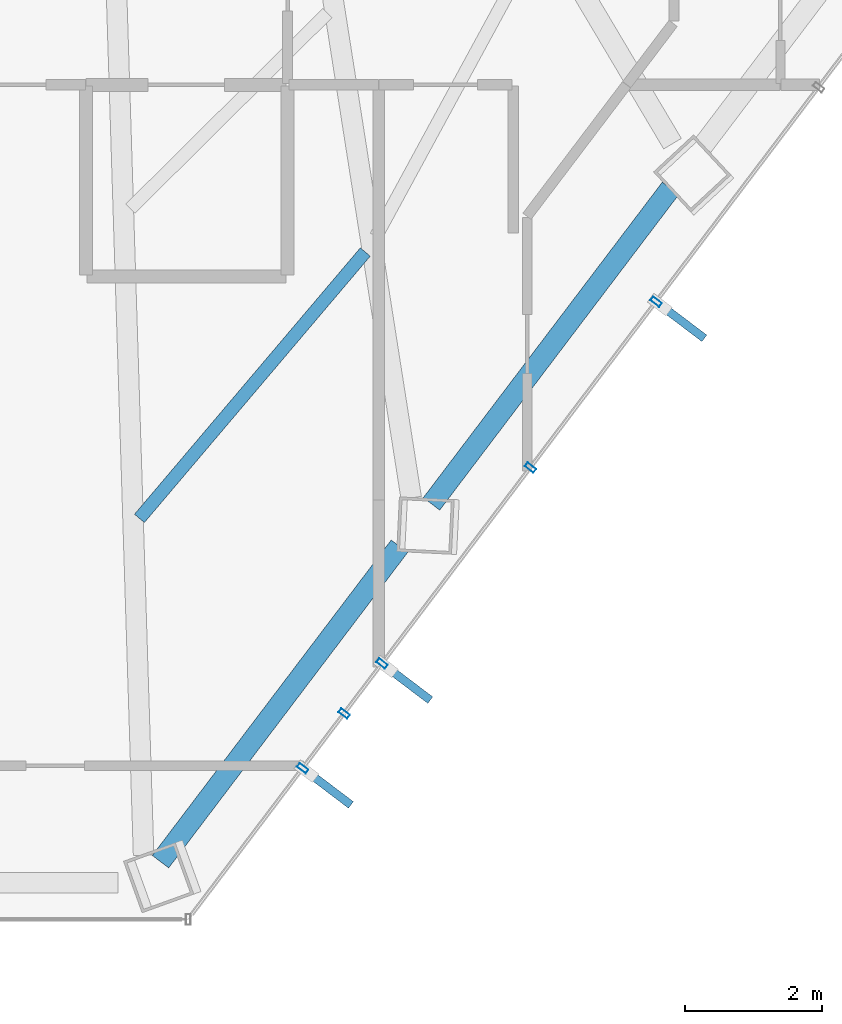
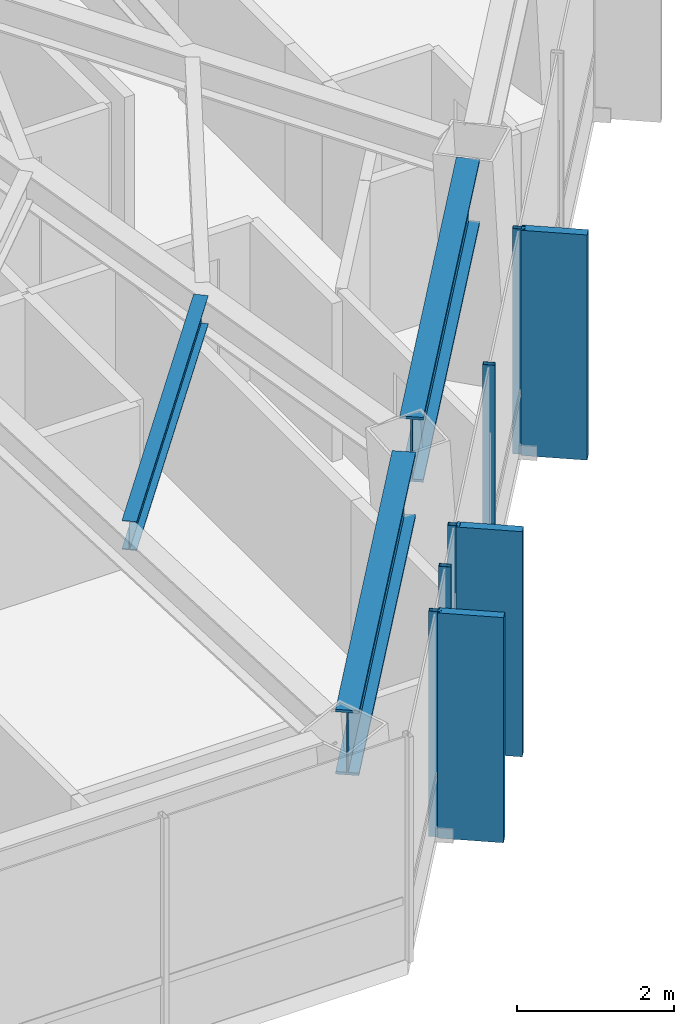
# One storey, part 17 of 29: 8 members, 3 beams, 1 element without a shape of its own.
"""IFC4 building model written with IfcOpenShell, lengths in metres."""

import ifcopenshell
import ifcopenshell.guid

model = None  # the IFC model being written
_history = None  # IfcOwnerHistory: only IFC2X3 demands one
_inside = {}  # id of a spatial element -> (the spatial element, [elements in it])
_under = {}  # id of a project, library or spatial element -> (it, [spatial elements below it])
_declared = {}  # id of a project -> (the project, [libraries it declares])
_typed = {}  # id of a type object -> (the type object, [elements of that type])
_made_of = {}  # id of a material, layer set ... -> (it, [elements and type objects made of it])


def new_model(schema):
    """Start an empty IFC model of exactly this schema.

    Asked for "IFC4X3", IfcOpenShell would pick the latest addendum, in which some entities
    have other attributes; the version numbers below select the first issue.
    IFC2X3 requires an IfcOwnerHistory on every rooted entity: one is made here for all.
    """
    global model, _history
    if schema == "IFC4X3":
        model = ifcopenshell.file(schema_version=(4, 3, 0, 0))
    else:
        model = ifcopenshell.file(schema=schema)
    _inside.clear()
    _under.clear()
    _declared.clear()
    _typed.clear()
    _made_of.clear()
    _history = None
    if model.schema == "IFC2X3":
        org = make("IfcOrganization", Name="unknown")
        user = make(
            "IfcPersonAndOrganization",
            ThePerson=make("IfcPerson", FamilyName="unknown"),
            TheOrganization=org,
        )
        app = make(
            "IfcApplication",
            ApplicationDeveloper=org,
            Version="unknown",
            ApplicationFullName="unknown",
            ApplicationIdentifier="unknown",
        )
        _history = make(
            "IfcOwnerHistory",
            OwningUser=user,
            OwningApplication=app,
            ChangeAction="ADDED",
            CreationDate=0,
        )
    return model


def make(cls, **values):
    """One entity of the class cls with the attributes given. An attribute that is None is left unset."""
    return model.create_entity(
        cls, **{name: value for name, value in values.items() if value is not None}
    )


def rooted(cls, **values):
    """An entity with a GlobalId (a new one), such as an element, a storey or a relation."""
    return make(cls, GlobalId=ifcopenshell.guid.new(), OwnerHistory=_history, **values)


def si_unit(unit_type, name, prefix=None):
    """IfcSIUnit, for example si_unit("LENGTHUNIT", "METRE", prefix="MILLI")."""
    return make("IfcSIUnit", UnitType=unit_type, Prefix=prefix, Name=name)


def assignment(units):
    """IfcUnitAssignment: the units of a project."""
    return None if units is None else make("IfcUnitAssignment", Units=units)


def point(xyz):
    """IfcCartesianPoint."""
    return None if xyz is None else make("IfcCartesianPoint", Coordinates=xyz)


def direction(xyz):
    """IfcDirection."""
    return None if xyz is None else make("IfcDirection", DirectionRatios=xyz)


def frame(location, z_axis=None, x_axis=None):
    """IfcAxis2Placement3D, a coordinate frame: its origin and axes. An axis left out is left unset."""
    return make(
        "IfcAxis2Placement3D",
        Location=point(location),
        Axis=direction(z_axis),
        RefDirection=direction(x_axis),
    )


def frame_2d(location, x_axis=None):
    """IfcAxis2Placement2D, a coordinate frame in the plane: its origin and x axis."""
    return make(
        "IfcAxis2Placement2D", Location=point(location), RefDirection=direction(x_axis)
    )


def origin():
    """The frame at (0, 0, 0) with its axes left unset."""
    return frame((0.0, 0.0, 0.0))


def origin_2d():
    """The frame at (0, 0) in the plane with its x axis left unset."""
    return frame_2d((0.0, 0.0))


def place(relative_to, where):
    """IfcLocalPlacement: puts the frame where relative to a parent placement (None: the world)."""
    return make(
        "IfcLocalPlacement", PlacementRelTo=relative_to, RelativePlacement=where
    )


def context(
    kind, dimensions, precision=None, world=None, true_north=None, identifier=None
):
    """IfcGeometricRepresentationContext, for example the 3D "Model" context."""
    return make(
        "IfcGeometricRepresentationContext",
        ContextIdentifier=identifier,
        ContextType=kind,
        CoordinateSpaceDimension=dimensions,
        Precision=precision,
        WorldCoordinateSystem=world,
        TrueNorth=true_north,
    )


def subcontext(parent, identifier, kind, view, scale=None):
    """IfcGeometricRepresentationSubContext, for example "Body" below "Model"."""
    return make(
        "IfcGeometricRepresentationSubContext",
        ContextIdentifier=identifier,
        ContextType=kind,
        ParentContext=parent,
        TargetScale=scale,
        TargetView=view,
    )


def project(units=None, contexts=None):
    """IfcProject with its units and contexts."""
    return rooted(
        "IfcProject",
        Name="project",
        RepresentationContexts=contexts,
        UnitsInContext=assignment(units),
    )


def spatial(cls, under=None, at=None, **own):
    """A site, building, storey or space (cls), placed at a placement, below another one or the project."""
    s = rooted(cls, ObjectPlacement=at, **own)
    if under is not None:
        _under.setdefault(under.id(), (under, []))[1].append(s)
    return s


def profile(cls, at=None, kind="AREA", **sizes):
    """A parametric profile (cls). Its sizes go by their IFC names, for example OverallWidth=200.0."""
    return make(cls, ProfileType=kind, Position=at, **sizes)


def rectangle(**sizes):
    """IfcRectangleProfileDef."""
    return profile("IfcRectangleProfileDef", **sizes)


def hollow_rectangle(**sizes):
    """IfcRectangleHollowProfileDef."""
    return profile("IfcRectangleHollowProfileDef", **sizes)


def i_section(**sizes):
    """IfcIShapeProfileDef."""
    return profile("IfcIShapeProfileDef", **sizes)


def extrude(swept, where, along, depth):
    """IfcExtrudedAreaSolid: the profile swept, set in the frame where, extruded along a direction by depth."""
    return make(
        "IfcExtrudedAreaSolid",
        SweptArea=swept,
        Position=where,
        ExtrudedDirection=direction(along),
        Depth=depth,
    )


def shape(context_of_items, identifier, shape_type, items):
    """IfcShapeRepresentation: the items that make up one representation, for example the "Body"."""
    return make(
        "IfcShapeRepresentation",
        ContextOfItems=context_of_items,
        RepresentationIdentifier=identifier,
        RepresentationType=shape_type,
        Items=items,
    )


def material(Name=None, Category=None):
    """IfcMaterial."""
    return make("IfcMaterial", Name=Name, Category=Category)


def layer(
    of_material, thickness, ventilated=None, Name=None, Category=None, Priority=None
):
    """IfcMaterialLayer: one layer of a wall or slab, of a material (None: an air gap)."""
    return make(
        "IfcMaterialLayer",
        Material=of_material,
        LayerThickness=thickness,
        IsVentilated=ventilated,
        Name=Name,
        Category=Category,
        Priority=Priority,
    )


def layer_set(layers, Name=None):
    """IfcMaterialLayerSet."""
    return make("IfcMaterialLayerSet", MaterialLayers=layers, LayerSetName=Name)


def material_profile(
    of_material, cross_section, Name=None, Category=None, Priority=None
):
    """IfcMaterialProfile: a cross section and its material."""
    return make(
        "IfcMaterialProfile",
        Name=Name,
        Material=of_material,
        Profile=cross_section,
        Priority=Priority,
        Category=Category,
    )


def profile_set(profiles, Name=None, composite=None):
    """IfcMaterialProfileSet."""
    return make(
        "IfcMaterialProfileSet",
        Name=Name,
        MaterialProfiles=profiles,
        CompositeProfile=composite,
    )


def made_of(thing, what):
    """Note that an element or type object is made of a material, layer set ...; save() writes the relation."""
    if what is not None:
        _made_of.setdefault(what.id(), (what, []))[1].append(thing)
    return thing


def type_object(cls, material=None, **own):
    """A type object (cls), such as IfcWallType, which elements share."""
    return made_of(rooted(cls, **own), material)


def element(
    cls,
    number,
    at=None,
    inside=None,
    cuts=None,
    type_object=None,
    material=None,
    context=None,
    identifier="Body",
    shape_type=None,
    held_by="IfcProductDefinitionShape",
    body=None,
    shapes=None,
    **own,
):
    """One element of the class cls, such as IfcWall. Its Tag is "e" and its number.

    at: its placement. inside: the storey or other place that contains it. cuts: it is an
    opening in that element (IfcRelVoidsElement). A single representation is given by context,
    identifier, shape_type and body (its items); several are given by shapes. held_by: the class
    of the entity that holds the representations. save() writes the other relations.
    """
    e = rooted(cls, Tag="e%d" % number, ObjectPlacement=at, **own)
    if body is not None:
        shapes = [shape(context, identifier, shape_type, body)]
    if shapes is not None:
        e.Representation = make(held_by, Representations=shapes)
    if inside is not None:
        _inside.setdefault(inside.id(), (inside, []))[1].append(e)
    if cuts is not None:
        rooted(
            "IfcRelVoidsElement", RelatingBuildingElement=cuts, RelatedOpeningElement=e
        )
    if type_object is not None:
        _typed.setdefault(type_object.id(), (type_object, []))[1].append(e)
    return made_of(e, material)


def aggregate(whole, parts):
    """IfcRelAggregates: a whole, such as a stair, and the parts it consists of."""
    return rooted("IfcRelAggregates", RelatingObject=whole, RelatedObjects=parts)


def save(model, path):
    """Write the relations noted so far, then the file.

    IfcRelAggregates (storeys below a building ...), IfcRelContainedInSpatialStructure (elements
    in a storey), IfcRelDefinesByType, IfcRelAssociatesMaterial and IfcRelDeclares: one each for
    every whole, place, type object, material and project.
    """
    for whole, parts in _under.values():
        aggregate(whole, parts)
    for where, things in _inside.values():
        rooted(
            "IfcRelContainedInSpatialStructure",
            RelatedElements=things,
            RelatingStructure=where,
        )
    for kind, things in _typed.values():
        rooted("IfcRelDefinesByType", RelatedObjects=things, RelatingType=kind)
    for what, things in _made_of.values():
        rooted("IfcRelAssociatesMaterial", RelatedObjects=things, RelatingMaterial=what)
    for by, libraries in _declared.values():
        rooted("IfcRelDeclares", RelatingContext=by, RelatedDefinitions=libraries)
    model.write(path)


model = new_model("IFC4")

# Units and contexts
model_context = context("Model", 3, precision=1e-05, world=origin(), true_north=direction((0.0, 1.0)))
body_context = subcontext(model_context, "Body", "Model", "MODEL_VIEW")
ifc_project = project(units=[si_unit("LENGTHUNIT", "METRE"), si_unit("AREAUNIT", "SQUARE_METRE"), si_unit("VOLUMEUNIT", "CUBIC_METRE"), si_unit("PLANEANGLEUNIT", "RADIAN"), si_unit("MASSUNIT", "GRAM", prefix="KILO")], contexts=[model_context])

# Site, building, storey
site_placement = place(None, origin())
site = spatial("IfcSite", under=ifc_project, at=site_placement, CompositionType="ELEMENT")
building_placement = place(site_placement, origin())
building = spatial("IfcBuilding", under=site, at=building_placement, Name="Zarrinselat Tower", CompositionType="ELEMENT")
storey_placement = place(building_placement, frame((0.0, 0.0, 142.1201171875)))
storey = spatial("IfcBuildingStorey", under=building, at=storey_placement, Name="L34", CompositionType="ELEMENT", Elevation=142.1201171875)

# Beams
ifc_material_1 = material(Name="Steel S460M", Category="steel")
ifc_material_profile_1 = material_profile(ifc_material_1, i_section(OverallWidth=0.302001953125, OverallDepth=1.008056640625, WebThickness=0.02099609375, FlangeThickness=0.0400390625, at=origin_2d()), Name="HEM 1000")
ifc_profile_set_1 = profile_set([ifc_material_profile_1], Name="Steel S460M")
beam_type_1 = type_object("IfcBeamType", Name="BM-HEM1000", PredefinedType="BEAM", material=ifc_profile_set_1)
for number, where, z_axis, x_axis, name in (
    (1, (46.49169921875, 18.790771484375, 2.995849609375), (0.603867434816, 0.797084764106, 0.0), (-0.797084764106, 0.603867434816, 0.0), "L34 Perimeter Spandrel Girder SP11"),
    (2, (50.454833984375, 24.022216796875, 2.995849609375), (0.603867434816, 0.797084764106, 0.0), (-0.797084764106, 0.603867434816, 0.0), "L34 Perimeter Spandrel Girder SP12"),
):
    element("IfcBeam", number, at=place(storey_placement, frame(where, z_axis=z_axis, x_axis=x_axis)), inside=storey, type_object=beam_type_1, Name=name, PredefinedType="BEAM", context=body_context, shape_type="SweptSolid", body=[
        extrude(i_section(OverallWidth=0.302001953125, OverallDepth=1.008056640625, WebThickness=0.02099609375, FlangeThickness=0.0400390625, at=origin_2d()), origin(), (0.0, 0.0, 1.0), 5.787109375),
    ])
ifc_material_2 = material(Name="Steel S355J2", Category="steel")
ifc_material_profile_2 = material_profile(ifc_material_2, i_section(OverallWidth=0.18994140625, OverallDepth=0.449951171875, WebThickness=0.009521484375, FlangeThickness=0.0146484375, at=origin_2d()), Name="IPE 450")
ifc_profile_set_2 = profile_set([ifc_material_profile_2], Name="Steel S355J2")
beam_type_2 = type_object("IfcBeamType", Name="BM-IPE450", PredefinedType="JOIST", material=ifc_profile_set_2)
beam_placement = place(storey_placement, frame((46.18408203125, 23.810302734375, 3.27490234375), z_axis=(0.646687670073, 0.762754913046, 0.0), x_axis=(-0.762754913046, 0.646687670073, 0.0)))
element("IfcBeam", 3, at=beam_placement, inside=storey, type_object=beam_type_2, Name="L34 Composite Floor Joist 3-1", PredefinedType="JOIST", context=body_context, shape_type="SweptSolid", body=[
    extrude(i_section(OverallWidth=0.18994140625, OverallDepth=0.449951171875, WebThickness=0.009521484375, FlangeThickness=0.0146484375, at=origin_2d()), origin(), (0.0, 0.0, 1.0), 5.107177734375),
])

# Curtain wall, members
ifc_material_3 = material(Name="Extruded Aluminium Alloy EN AW-6063 T6", Category="aluminium")
ifc_layer = layer(ifc_material_3, 0.175048828125)
ifc_layer_set = layer_set([ifc_layer], Name="Extruded Aluminium Alloy EN AW-6063 T6")
curtain_wall_type = type_object("IfcCurtainWallType", Name="CWS-HTL", PredefinedType="NOTDEFINED", material=ifc_layer_set)
curtain_wall_placement = place(storey_placement, origin())
curtain_wall = element("IfcCurtainWall", 4, at=curtain_wall_placement, inside=storey, type_object=curtain_wall_type, Name="L34 Unitised Curtain Wall CW-L34-E05", PredefinedType="NOTDEFINED")
ifc_material_4 = material(Name="Extruded Aluminium Alloy EN AW-6063 T6", Category="aluminium")
ifc_material_profile_3 = material_profile(ifc_material_4, hollow_rectangle(XDim=0.070068359375, YDim=0.159912109375, WallThickness=0.00390625, at=origin_2d()), Name="RHS 160x70x4")
ifc_profile_set_3 = profile_set([ifc_material_profile_3], Name="Extruded Aluminium Alloy EN AW-6063 T6")
member_type_1 = type_object("IfcMemberType", Name="MEM-CW-MUL2", PredefinedType="MULLION", material=ifc_profile_set_3)
member_1_placement = place(storey_placement, frame((48.57080078125, 20.155517578125, 0.0), z_axis=(0.0, 0.0, 1.0), x_axis=(0.603855794642, 0.797093582509, 0.0)))
member_1 = element("IfcMember", 5, at=member_1_placement, type_object=member_type_1, Name="CW-L34-E05 Mullion 1", PredefinedType="MULLION", context=body_context, shape_type="SweptSolid", body=[
    extrude(hollow_rectangle(XDim=0.070068359375, YDim=0.159912109375, WallThickness=0.00390625, at=origin_2d()), origin(), (0.0, 0.0, 1.0), 3.5),
])
member_2_placement = place(storey_placement, frame((49.177734375, 20.956298828125, 0.0), z_axis=(0.0, 0.0, 1.0), x_axis=(0.603855794642, 0.797093582509, 0.0)))
member_2 = element("IfcMember", 6, at=member_2_placement, type_object=member_type_1, Name="CW-L34-E05 Mullion 2", PredefinedType="MULLION", context=body_context, shape_type="SweptSolid", body=[
    extrude(hollow_rectangle(XDim=0.070068359375, YDim=0.159912109375, WallThickness=0.00390625, at=origin_2d()), origin(), (0.0, 0.0, 1.0), 3.5),
])
member_3_placement = place(storey_placement, frame((49.7314453125, 21.6875, 0.0), z_axis=(0.0, 0.0, 1.0), x_axis=(0.603855794642, 0.797093582509, 0.0)))
member_3 = element("IfcMember", 7, at=member_3_placement, type_object=member_type_1, Name="CW-L34-E05 Mullion 3", PredefinedType="MULLION", context=body_context, shape_type="SweptSolid", body=[
    extrude(hollow_rectangle(XDim=0.070068359375, YDim=0.159912109375, WallThickness=0.00390625, at=origin_2d()), origin(), (0.0, 0.0, 1.0), 3.5),
])
member_4_placement = place(storey_placement, frame((51.90185546875, 24.552490234375, 0.0), z_axis=(0.0, 0.0, 1.0), x_axis=(0.603855794642, 0.797093582509, 0.0)))
member_4 = element("IfcMember", 8, at=member_4_placement, type_object=member_type_1, Name="CW-L34-E05 Mullion 4", PredefinedType="MULLION", context=body_context, shape_type="SweptSolid", body=[
    extrude(hollow_rectangle(XDim=0.070068359375, YDim=0.159912109375, WallThickness=0.00390625, at=origin_2d()), origin(), (0.0, 0.0, 1.0), 3.5),
])
member_5_placement = place(storey_placement, frame((53.7392578125, 26.9775390625, 0.0), z_axis=(0.0, 0.0, 1.0), x_axis=(0.603855794642, 0.797093582509, 0.0)))
member_5 = element("IfcMember", 9, at=member_5_placement, type_object=member_type_1, Name="CW-L34-E05 Mullion 5", PredefinedType="MULLION", context=body_context, shape_type="SweptSolid", body=[
    extrude(hollow_rectangle(XDim=0.070068359375, YDim=0.159912109375, WallThickness=0.00390625, at=origin_2d()), origin(), (0.0, 0.0, 1.0), 3.5),
])
ifc_material_5 = material(Name="Honed Cream Travertine Stone", Category="masonry")
ifc_material_profile_4 = material_profile(ifc_material_5, rectangle(XDim=0.1201171875, YDim=0.85009765625, at=origin_2d()), Name="FIN 850x120")
ifc_profile_set_4 = profile_set([ifc_material_profile_4], Name="Honed Cream Travertine Stone")
member_type_2 = type_object("IfcMemberType", Name="MEM-STONE-FIN", PredefinedType="USERDEFINED", material=ifc_profile_set_4)
member_6_placement = place(storey_placement, frame((48.9375, 19.877685546875, 0.0), z_axis=(0.0, 0.0, 1.0), x_axis=(-0.603855794642, -0.797093582509, 0.0)))
member_6 = element("IfcMember", 10, at=member_6_placement, type_object=member_type_2, Name="L34 Stone Shading Fin CW-L34-E05-01", ObjectType="FIN", PredefinedType="USERDEFINED", context=body_context, shape_type="SweptSolid", body=[
    extrude(rectangle(XDim=0.1201171875, YDim=0.85009765625, at=origin_2d()), origin(), (0.0, 0.0, 1.0), 3.5),
])
member_7_placement = place(storey_placement, frame((50.09814453125, 21.40966796875, 0.0), z_axis=(0.0, 0.0, 1.0), x_axis=(-0.603855794642, -0.797093582509, 0.0)))
member_7 = element("IfcMember", 11, at=member_7_placement, type_object=member_type_2, Name="L34 Stone Shading Fin CW-L34-E05-03", ObjectType="FIN", PredefinedType="USERDEFINED", context=body_context, shape_type="SweptSolid", body=[
    extrude(rectangle(XDim=0.1201171875, YDim=0.85009765625, at=origin_2d()), origin(), (0.0, 0.0, 1.0), 3.5),
])
member_8_placement = place(storey_placement, frame((54.10595703125, 26.69970703125, 0.0), z_axis=(0.0, 0.0, 1.0), x_axis=(-0.603855794642, -0.797093582509, 0.0)))
member_8 = element("IfcMember", 12, at=member_8_placement, type_object=member_type_2, Name="L34 Stone Shading Fin CW-L34-E05-05", ObjectType="FIN", PredefinedType="USERDEFINED", context=body_context, shape_type="SweptSolid", body=[
    extrude(rectangle(XDim=0.1201171875, YDim=0.85009765625, at=origin_2d()), origin(), (0.0, 0.0, 1.0), 3.5),
])
aggregate(curtain_wall, [member_1, member_6, member_2, member_3, member_7, member_4, member_5, member_8])

save(model, "model.ifc")
